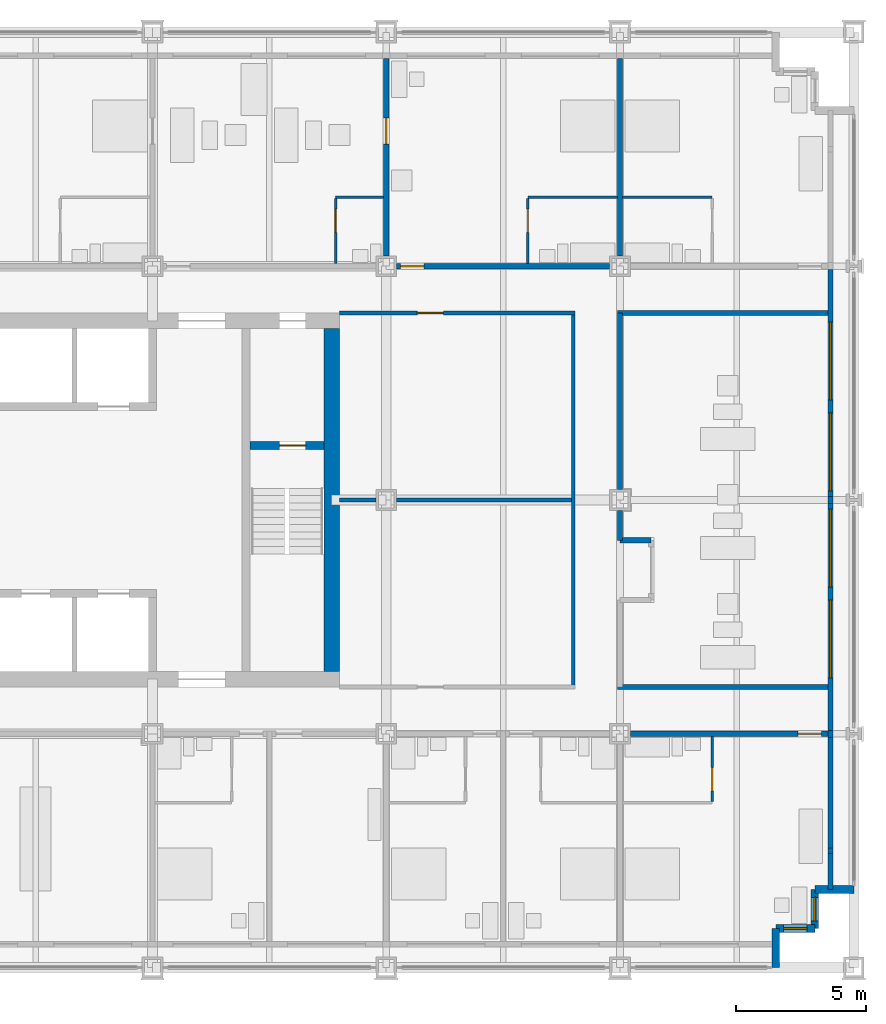
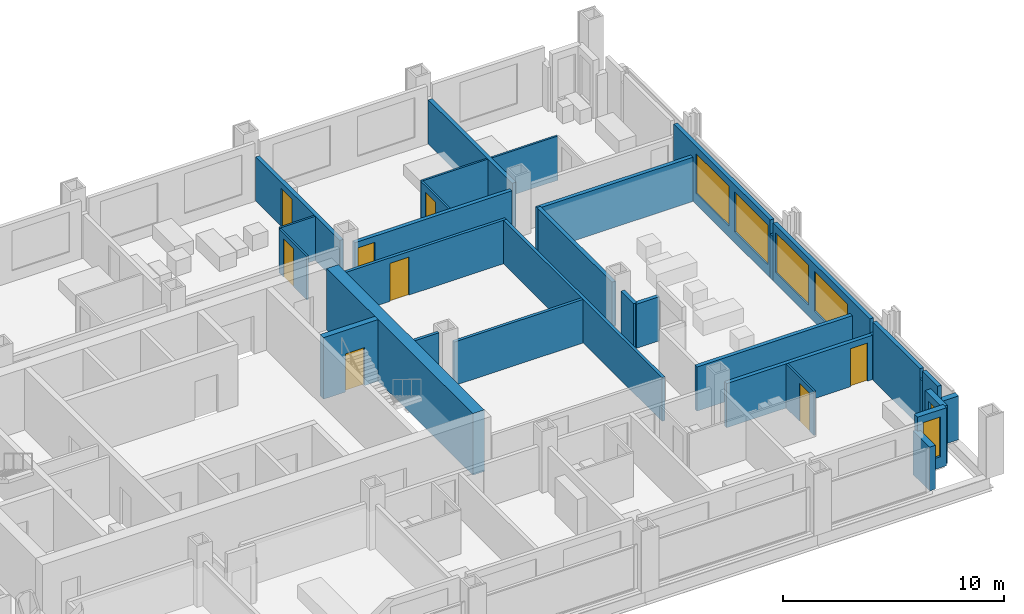
# One storey, part 13 of 18: 32 walls, 8 doors, 6 windows, 14 openings.
"""IFC4 building model written with IfcOpenShell, lengths in metres."""

from ifc_helpers import new_model, si_unit, direction, frame, frame_2d, origin, place, context, subcontext, project, spatial, rectangle, extrude, material, layer, layer_set, type_object, element, fill, save


model = new_model("IFC4")

# Units and contexts
model_context = context("Model", 3, precision=1e-05, world=origin(), true_north=direction((0.0, 1.0)))
body_context = subcontext(model_context, "Body", "Model", "MODEL_VIEW")
ifc_project = project(units=[si_unit("LENGTHUNIT", "METRE"), si_unit("AREAUNIT", "SQUARE_METRE"), si_unit("VOLUMEUNIT", "CUBIC_METRE"), si_unit("PLANEANGLEUNIT", "RADIAN"), si_unit("MASSUNIT", "GRAM", prefix="KILO")], contexts=[model_context])

# Site, building, storey
site_placement = place(None, origin())
site = spatial("IfcSite", under=ifc_project, at=site_placement, CompositionType="ELEMENT")
building_placement = place(site_placement, origin())
building = spatial("IfcBuilding", under=site, at=building_placement, Name="Loomwork Tower", CompositionType="ELEMENT")
storey_placement = place(building_placement, frame((0.0, 0.0, 28.0)))
storey = spatial("IfcBuildingStorey", under=building, at=storey_placement, Name="L05", CompositionType="ELEMENT", Elevation=28.0)

# Wall, opening, door
ifc_material_1 = material(Name="Concrete 14000 psi (97 MPa)", Category="concrete")
ifc_layer_1 = layer(ifc_material_1, 0.300048828125)
ifc_layer_set_1 = layer_set([ifc_layer_1], Name="Core shear wall 300")
wall_type_1 = type_object("IfcWallType", Name="Core shear wall 300", PredefinedType="SHEAR", material=ifc_layer_set_1)
wall_1_placement = place(storey_placement, frame((30.75, 20.10009765625, 0.0), z_axis=(0.0, 0.0, 1.0), x_axis=(1.0, 0.0, 0.0)))
wall_1 = element("IfcWall", 1, at=wall_1_placement, inside=storey, type_object=wall_type_1, Name="Stair B north wall L05", PredefinedType="SHEAR", context=body_context, shape_type="SweptSolid", body=[
    extrude(rectangle(XDim=2.85009765625, YDim=0.300048828125, at=frame_2d((1.425048828125, 0.0))), origin(), (0.0, 0.0, 1.0), 3.39990234375),
])
opening_1_placement = place(wall_1_placement, frame((1.14990234375, 0.0, 0.0)))
opening_1 = element("IfcOpeningElement", 2, at=opening_1_placement, cuts=wall_1, Name="Opening D4", PredefinedType="OPENING", context=body_context, shape_type="SweptSolid", body=[
    extrude(rectangle(XDim=1.0, YDim=2.10009765625, at=frame_2d((0.5, 1.050048828125))), frame((0.0, 0.159912109375, 0.0), z_axis=(0.0, -1.0, 0.0), x_axis=(1.0, 0.0, 0.0)), (0.0, 0.0, 1.0), 0.320068359375),
])
ifc_material_2 = material(Name="Hollow metal door and frame")
door_type_1 = type_object("IfcDoorType", Name="Stair door 1000", OperationType="SINGLE_SWING_RIGHT", PredefinedType="DOOR", material=ifc_material_2)
door_1_placement = place(opening_1_placement, frame((1.0, 0.0, 0.0), z_axis=(0.0, 0.0, 1.0), x_axis=(-1.0, 0.0, 0.0)))
door_1 = element("IfcDoor", 3, at=door_1_placement, inside=storey, type_object=door_type_1, Name="Stair B door", OperationType="SINGLE_SWING_LEFT", OverallHeight=2.10009765625, OverallWidth=1.0, PredefinedType="DOOR", context=body_context, shape_type="SweptSolid", body=[
    extrude(rectangle(XDim=1.0, YDim=2.10009765625, at=frame_2d((0.5, 1.050048828125))), frame((0.0, 0.02490234375, 0.0), z_axis=(0.0, -1.0, 0.0), x_axis=(1.0, 0.0, 0.0)), (0.0, 0.0, 1.0), 0.050048828125),
])
fill(opening_1, door_1)

# Wall
ifc_material_3 = material(Name="Concrete 14000 psi (97 MPa)", Category="concrete")
ifc_layer_2 = layer(ifc_material_3, 0.60009765625)
ifc_layer_set_2 = layer_set([ifc_layer_2], Name="Core shear wall 600")
wall_type_2 = type_object("IfcWallType", Name="Core shear wall 600", PredefinedType="SHEAR", material=ifc_layer_set_2)
wall_2_placement = place(storey_placement, frame((33.89990234375, 11.39990234375, 0.0), z_axis=(0.0, 0.0, 1.0), x_axis=(0.0, 1.0, 0.0)))
element("IfcWall", 4, at=wall_2_placement, inside=storey, type_object=wall_type_2, Name="Core wall east L05", PredefinedType="SHEAR", context=body_context, shape_type="SweptSolid", body=[
    extrude(rectangle(XDim=13.2001953125, YDim=0.60009765625, at=frame_2d((6.60009765625, 0.0))), origin(), (0.0, 0.0, 1.0), 3.39990234375),
])

# Wall, opening, door
ifc_material_4 = material(Name="Gypsum board on steel studs, one-hour", Category="steel")
ifc_layer_3 = layer(ifc_material_4, 0.199951171875)
ifc_layer_set_3 = layer_set([ifc_layer_3], Name="Corridor wall 200")
wall_type_3 = type_object("IfcWallType", Name="Corridor wall 200", PredefinedType="PARTITIONING", material=ifc_layer_set_3)
wall_3_placement = place(storey_placement, frame((45.39990234375, 9.0, 0.0), z_axis=(0.0, 0.0, 1.0), x_axis=(1.0, 0.0, 0.0)))
wall_3 = element("IfcWall", 5, at=wall_3_placement, inside=storey, type_object=wall_type_3, Name="South corridor wall 6", PredefinedType="PARTITIONING", context=body_context, shape_type="SweptSolid", body=[
    extrude(rectangle(XDim=7.60009765625, YDim=0.199951171875, at=frame_2d((3.800048828125, 0.0))), origin(), (0.0, 0.0, 1.0), 2.43798828125),
])
opening_2_placement = place(wall_3_placement, frame((6.449951171875, 0.0, 0.0)))
opening_2 = element("IfcOpeningElement", 6, at=opening_2_placement, cuts=wall_3, Name="Opening D1", PredefinedType="OPENING", context=body_context, shape_type="SweptSolid", body=[
    extrude(rectangle(XDim=0.89990234375, YDim=2.10009765625, at=frame_2d((0.449951171875, 1.050048828125))), frame((0.0, 0.10986328125, 0.0), z_axis=(0.0, -1.0, 0.0), x_axis=(1.0, 0.0, 0.0)), (0.0, 0.0, 1.0), 0.219970703125),
])
ifc_material_5 = material(Name="Hollow metal door and frame")
door_type_2 = type_object("IfcDoorType", Name="Guest room entry door 900", OperationType="SINGLE_SWING_LEFT", PredefinedType="DOOR", material=ifc_material_5)
door_2_placement = place(opening_2_placement, frame((0.89990234375, 0.0, 0.0), z_axis=(0.0, 0.0, 1.0), x_axis=(-1.0, 0.0, 0.0)))
door_2 = element("IfcDoor", 7, at=door_2_placement, inside=storey, type_object=door_type_2, Name="Guest room entry door L05 8", OperationType="SINGLE_SWING_LEFT", OverallHeight=2.10009765625, OverallWidth=0.89990234375, PredefinedType="DOOR", context=body_context, shape_type="SweptSolid", body=[
    extrude(rectangle(XDim=0.89990234375, YDim=2.10009765625, at=frame_2d((0.449951171875, 1.050048828125))), frame((0.0, 0.02490234375, 0.0), z_axis=(0.0, -1.0, 0.0), x_axis=(1.0, 0.0, 0.0)), (0.0, 0.0, 1.0), 0.050048828125),
])
fill(opening_2, door_2)

wall_4_placement = place(storey_placement, frame((36.39990234375, 27.0, 0.0), z_axis=(0.0, 0.0, 1.0), x_axis=(1.0, 0.0, 0.0)))
wall_4 = element("IfcWall", 8, at=wall_4_placement, inside=storey, type_object=wall_type_3, Name="North corridor wall 5", PredefinedType="PARTITIONING", context=body_context, shape_type="SweptSolid", body=[
    extrude(rectangle(XDim=8.2001953125, YDim=0.199951171875, at=frame_2d((4.10009765625, 0.0))), origin(), (0.0, 0.0, 1.0), 2.43798828125),
])
opening_3_placement = place(wall_4_placement, frame((0.14990234375, 0.0, 0.0)))
opening_3 = element("IfcOpeningElement", 9, at=opening_3_placement, cuts=wall_4, Name="Opening D1", PredefinedType="OPENING", context=body_context, shape_type="SweptSolid", body=[
    extrude(rectangle(XDim=0.89990234375, YDim=2.10009765625, at=frame_2d((0.449951171875, 1.050048828125))), frame((0.0, 0.10986328125, 0.0), z_axis=(0.0, -1.0, 0.0), x_axis=(1.0, 0.0, 0.0)), (0.0, 0.0, 1.0), 0.219970703125),
])
door_3_placement = place(opening_3_placement, origin())
door_3 = element("IfcDoor", 10, at=door_3_placement, inside=storey, type_object=door_type_2, Name="Guest room entry door L05 13", OperationType="SINGLE_SWING_LEFT", OverallHeight=2.10009765625, OverallWidth=0.89990234375, PredefinedType="DOOR", context=body_context, shape_type="SweptSolid", body=[
    extrude(rectangle(XDim=0.89990234375, YDim=2.10009765625, at=frame_2d((0.449951171875, 1.050048828125))), frame((0.0, 0.02490234375, 0.0), z_axis=(0.0, -1.0, 0.0), x_axis=(1.0, 0.0, 0.0)), (0.0, 0.0, 1.0), 0.050048828125),
])
fill(opening_3, door_3)

# Walls
wall_5_placement = place(storey_placement, frame((45.0, 18.39990234375, 0.0), z_axis=(0.0, 0.0, 1.0), x_axis=(0.0, 1.0, 0.0)))
element("IfcWall", 11, at=wall_5_placement, inside=storey, type_object=wall_type_3, Name="East corridor wall 2", PredefinedType="PARTITIONING", context=body_context, shape_type="SweptSolid", body=[
    extrude(rectangle(XDim=6.800048828125, YDim=0.199951171875, at=frame_2d((3.39990234375, 0.0))), origin(), (0.0, 0.0, 1.0), 2.43798828125),
])
for number, where, z_axis, x_axis, name in (
    (12, (44.89990234375, 10.800048828125, 0.0), (0.0, 0.0, 1.0), (1.0, 0.0, 0.0), "East band end wall S"),
    (13, (44.89990234375, 25.199951171875, 0.0), (0.0, 0.0, 1.0), (1.0, 0.0, 0.0), "East band end wall N"),
):
    element("IfcWall", number, at=place(storey_placement, frame(where, z_axis=z_axis, x_axis=x_axis)), inside=storey, type_object=wall_type_3, Name=name, PredefinedType="PARTITIONING", context=body_context, shape_type="SweptSolid", body=[
        extrude(rectangle(XDim=8.10009765625, YDim=0.199951171875, at=frame_2d((4.050048828125, 0.0))), origin(), (0.0, 0.0, 1.0), 2.43798828125),
    ])
wall_6_placement = place(storey_placement, frame((45.0, 16.449951171875, 0.0), z_axis=(0.0, 0.0, 1.0), x_axis=(0.0, 1.0, 0.0)))
element("IfcWall", 14, at=wall_6_placement, inside=storey, type_object=wall_type_3, Name="East corridor wall 1", PredefinedType="PARTITIONING", context=body_context, shape_type="SweptSolid", body=[
    extrude(rectangle(XDim=1.150146484375, YDim=0.199951171875, at=frame_2d((0.5751953125, 0.0))), origin(), (0.0, 0.0, 1.0), 2.43798828125),
])
wall_7_placement = place(storey_placement, frame((45.0, 16.449951171875, 0.0), z_axis=(0.0, 0.0, 1.0), x_axis=(1.0, 0.0, 0.0)))
element("IfcWall", 15, at=wall_7_placement, inside=storey, type_object=wall_type_3, Name="Conference club lounge door L05 alcove wall", PredefinedType="PARTITIONING", context=body_context, shape_type="SweptSolid", body=[
    extrude(rectangle(XDim=1.199951171875, YDim=0.199951171875, at=frame_2d((0.60009765625, 0.0))), origin(), (0.0, 0.0, 1.0), 2.43798828125),
])

# Wall, opening, door
ifc_material_6 = material(Name="Cement board on steel studs", Category="steel")
ifc_layer_4 = layer(ifc_material_6, 0.10009765625)
ifc_layer_set_4 = layer_set([ifc_layer_4], Name="En-suite partition 100")
wall_type_4 = type_object("IfcWallType", Name="En-suite partition 100", PredefinedType="PARTITIONING", material=ifc_layer_set_4)
wall_8_placement = place(storey_placement, frame((48.550048828125, 8.89990234375, 0.0), z_axis=(0.0, 0.0, 1.0), x_axis=(0.0, -1.0, 0.0)))
wall_8 = element("IfcWall", 16, at=wall_8_placement, inside=storey, type_object=wall_type_4, Name="En-suite side wall L05 room 8", PredefinedType="PARTITIONING", context=body_context, shape_type="SweptSolid", body=[
    extrude(rectangle(XDim=2.5, YDim=0.10009765625, at=frame_2d((1.25, 0.0))), origin(), (0.0, 0.0, 1.0), 2.43798828125),
])
opening_4_placement = place(wall_8_placement, frame((1.199951171875, 0.0, 0.0)))
opening_4 = element("IfcOpeningElement", 17, at=opening_4_placement, cuts=wall_8, Name="Opening D2", PredefinedType="OPENING", context=body_context, shape_type="SweptSolid", body=[
    extrude(rectangle(XDim=0.89990234375, YDim=2.10009765625, at=frame_2d((0.449951171875, 1.050048828125))), frame((0.0, 0.06005859375, 0.0), z_axis=(0.0, -1.0, 0.0), x_axis=(1.0, 0.0, 0.0)), (0.0, 0.0, 1.0), 0.1201171875),
])
ifc_material_7 = material(Name="Hollow metal door and frame")
door_type_3 = type_object("IfcDoorType", Name="En-suite door 900", OperationType="SINGLE_SWING_LEFT", PredefinedType="DOOR", material=ifc_material_7)
door_4_placement = place(opening_4_placement, frame((0.89990234375, 0.0, 0.0), z_axis=(0.0, 0.0, 1.0), x_axis=(-1.0, 0.0, 0.0)))
door_4 = element("IfcDoor", 18, at=door_4_placement, inside=storey, type_object=door_type_3, Name="En-suite door room 8", OperationType="SINGLE_SWING_LEFT", OverallHeight=2.10009765625, OverallWidth=0.89990234375, PredefinedType="DOOR", context=body_context, shape_type="SweptSolid", body=[
    extrude(rectangle(XDim=0.89990234375, YDim=2.10009765625, at=frame_2d((0.449951171875, 1.050048828125))), frame((0.0, 0.02490234375, 0.0), z_axis=(0.0, -1.0, 0.0), x_axis=(1.0, 0.0, 0.0)), (0.0, 0.0, 1.0), 0.050048828125),
])
fill(opening_4, door_4)

# Wall
wall_9_placement = place(storey_placement, frame((34.050048828125, 29.64990234375, 0.0), z_axis=(0.0, 0.0, 1.0), x_axis=(1.0, 0.0, 0.0)))
element("IfcWall", 19, at=wall_9_placement, inside=storey, type_object=wall_type_4, Name="En-suite wall L05 room 12", PredefinedType="PARTITIONING", context=body_context, shape_type="SweptSolid", body=[
    extrude(rectangle(XDim=1.849853515625, YDim=0.10009765625, at=frame_2d((0.9248046875, 0.0))), origin(), (0.0, 0.0, 1.0), 2.43798828125),
])

# Wall, opening, door
wall_10_placement = place(storey_placement, frame((34.050048828125, 27.10009765625, 0.0), z_axis=(0.0, 0.0, 1.0), x_axis=(0.0, 1.0, 0.0)))
wall_10 = element("IfcWall", 20, at=wall_10_placement, inside=storey, type_object=wall_type_4, Name="En-suite side wall L05 room 12", PredefinedType="PARTITIONING", context=body_context, shape_type="SweptSolid", body=[
    extrude(rectangle(XDim=2.5, YDim=0.10009765625, at=frame_2d((1.25, 0.0))), origin(), (0.0, 0.0, 1.0), 2.404052734375),
])
opening_5_placement = place(wall_10_placement, frame((1.199951171875, 0.0, 0.0)))
opening_5 = element("IfcOpeningElement", 21, at=opening_5_placement, cuts=wall_10, Name="Opening D2", PredefinedType="OPENING", context=body_context, shape_type="SweptSolid", body=[
    extrude(rectangle(XDim=0.89990234375, YDim=2.10009765625, at=frame_2d((0.449951171875, 1.050048828125))), frame((0.0, 0.06005859375, 0.0), z_axis=(0.0, -1.0, 0.0), x_axis=(1.0, 0.0, 0.0)), (0.0, 0.0, 1.0), 0.1201171875),
])
door_5_placement = place(opening_5_placement, frame((0.89990234375, 0.0, 0.0), z_axis=(0.0, 0.0, 1.0), x_axis=(-1.0, 0.0, 0.0)))
door_5 = element("IfcDoor", 22, at=door_5_placement, inside=storey, type_object=door_type_3, Name="Suite powder room door room 12", OperationType="SINGLE_SWING_LEFT", OverallHeight=2.10009765625, OverallWidth=0.89990234375, PredefinedType="DOOR", context=body_context, shape_type="SweptSolid", body=[
    extrude(rectangle(XDim=0.89990234375, YDim=2.10009765625, at=frame_2d((0.449951171875, 1.050048828125))), frame((0.0, 0.02490234375, 0.0), z_axis=(0.0, -1.0, 0.0), x_axis=(1.0, 0.0, 0.0)), (0.0, 0.0, 1.0), 0.050048828125),
])
fill(opening_5, door_5)

# Wall
wall_11_placement = place(storey_placement, frame((41.449951171875, 29.64990234375, 0.0), z_axis=(0.0, 0.0, 1.0), x_axis=(1.0, 0.0, 0.0)))
element("IfcWall", 23, at=wall_11_placement, inside=storey, type_object=wall_type_4, Name="En-suite wall L05 room 13", PredefinedType="PARTITIONING", context=body_context, shape_type="SweptSolid", body=[
    extrude(rectangle(XDim=3.449951171875, YDim=0.10009765625, at=frame_2d((1.72509765625, 0.0))), origin(), (0.0, 0.0, 1.0), 2.43798828125),
])

# Wall, opening, door
wall_12_placement = place(storey_placement, frame((41.449951171875, 27.10009765625, 0.0), z_axis=(0.0, 0.0, 1.0), x_axis=(0.0, 1.0, 0.0)))
wall_12 = element("IfcWall", 24, at=wall_12_placement, inside=storey, type_object=wall_type_4, Name="En-suite side wall L05 room 13", PredefinedType="PARTITIONING", context=body_context, shape_type="SweptSolid", body=[
    extrude(rectangle(XDim=2.5, YDim=0.10009765625, at=frame_2d((1.25, 0.0))), origin(), (0.0, 0.0, 1.0), 2.43798828125),
])
opening_6_placement = place(wall_12_placement, frame((1.199951171875, 0.0, 0.0)))
opening_6 = element("IfcOpeningElement", 25, at=opening_6_placement, cuts=wall_12, Name="Opening D2", PredefinedType="OPENING", context=body_context, shape_type="SweptSolid", body=[
    extrude(rectangle(XDim=0.89990234375, YDim=2.10009765625, at=frame_2d((0.449951171875, 1.050048828125))), frame((0.0, 0.06005859375, 0.0), z_axis=(0.0, -1.0, 0.0), x_axis=(1.0, 0.0, 0.0)), (0.0, 0.0, 1.0), 0.1201171875),
])
door_6_placement = place(opening_6_placement, frame((0.89990234375, 0.0, 0.0), z_axis=(0.0, 0.0, 1.0), x_axis=(-1.0, 0.0, 0.0)))
door_6 = element("IfcDoor", 26, at=door_6_placement, inside=storey, type_object=door_type_3, Name="En-suite door room 13", OperationType="SINGLE_SWING_LEFT", OverallHeight=2.10009765625, OverallWidth=0.89990234375, PredefinedType="DOOR", context=body_context, shape_type="SweptSolid", body=[
    extrude(rectangle(XDim=0.89990234375, YDim=2.10009765625, at=frame_2d((0.449951171875, 1.050048828125))), frame((0.0, 0.02490234375, 0.0), z_axis=(0.0, -1.0, 0.0), x_axis=(1.0, 0.0, 0.0)), (0.0, 0.0, 1.0), 0.050048828125),
])
fill(opening_6, door_6)

# Wall
wall_13_placement = place(storey_placement, frame((45.10009765625, 29.64990234375, 0.0), z_axis=(0.0, 0.0, 1.0), x_axis=(1.0, 0.0, 0.0)))
element("IfcWall", 27, at=wall_13_placement, inside=storey, type_object=wall_type_4, Name="En-suite wall L05 room 14", PredefinedType="PARTITIONING", context=body_context, shape_type="SweptSolid", body=[
    extrude(rectangle(XDim=3.449951171875, YDim=0.10009765625, at=frame_2d((1.72509765625, 0.0))), origin(), (0.0, 0.0, 1.0), 2.43798828125),
])

# Wall, opening, door
ifc_material_8 = material(Name="Gypsum board on steel studs, acoustic", Category="steel")
ifc_layer_5 = layer(ifc_material_8, 0.199951171875)
ifc_layer_set_5 = layer_set([ifc_layer_5], Name="Guest room party wall 200")
wall_type_5 = type_object("IfcWallType", Name="Guest room party wall 200", PredefinedType="PARTITIONING", material=ifc_layer_set_5)
wall_14_placement = place(storey_placement, frame((36.0, 27.39990234375, 0.0), z_axis=(0.0, 0.0, 1.0), x_axis=(0.0, 1.0, 0.0)))
wall_14 = element("IfcWall", 28, at=wall_14_placement, inside=storey, type_object=wall_type_5, Name="Guest room party wall N 36", PredefinedType="PARTITIONING", context=body_context, shape_type="SweptSolid", body=[
    extrude(rectangle(XDim=7.60009765625, YDim=0.199951171875, at=frame_2d((3.800048828125, 0.0))), origin(), (0.0, 0.0, 1.0), 2.43798828125),
])
opening_7_placement = place(wall_14_placement, frame((4.300048828125, 0.0, 0.0)))
opening_7 = element("IfcOpeningElement", 29, at=opening_7_placement, cuts=wall_14, Name="Opening D7", PredefinedType="OPENING", context=body_context, shape_type="SweptSolid", body=[
    extrude(rectangle(XDim=1.0, YDim=2.10009765625, at=frame_2d((0.5, 1.050048828125))), frame((0.0, 0.10986328125, 0.0), z_axis=(0.0, -1.0, 0.0), x_axis=(1.0, 0.0, 0.0)), (0.0, 0.0, 1.0), 0.219970703125),
])
ifc_material_9 = material(Name="Hollow metal door and frame")
door_type_4 = type_object("IfcDoorType", Name="Room door 1000", OperationType="SINGLE_SWING_LEFT", PredefinedType="DOOR", material=ifc_material_9)
door_7_placement = place(opening_7_placement, frame((1.0, 0.0, 0.0), z_axis=(0.0, 0.0, 1.0), x_axis=(-1.0, 0.0, 0.0)))
door_7 = element("IfcDoor", 30, at=door_7_placement, inside=storey, type_object=door_type_4, Name="Suite connecting door L05 N 36", OperationType="SINGLE_SWING_RIGHT", OverallHeight=2.10009765625, OverallWidth=1.0, PredefinedType="DOOR", context=body_context, shape_type="SweptSolid", body=[
    extrude(rectangle(XDim=1.0, YDim=2.10009765625, at=frame_2d((0.5, 1.050048828125))), frame((0.0, 0.02490234375, 0.0), z_axis=(0.0, -1.0, 0.0), x_axis=(1.0, 0.0, 0.0)), (0.0, 0.0, 1.0), 0.050048828125),
])
fill(opening_7, door_7)

# Walls
wall_15_placement = place(storey_placement, frame((45.0, 27.39990234375, 0.0), z_axis=(0.0, 0.0, 1.0), x_axis=(0.0, 1.0, 0.0)))
element("IfcWall", 31, at=wall_15_placement, inside=storey, type_object=wall_type_5, Name="Guest room party wall N 45", PredefinedType="PARTITIONING", context=body_context, shape_type="SweptSolid", body=[
    extrude(rectangle(XDim=7.60009765625, YDim=0.199951171875, at=frame_2d((3.800048828125, 0.0))), origin(), (0.0, 0.0, 1.0), 2.43798828125),
])
ifc_material_10 = material(Name="Insulated steel stud wall with gypsum lining", Category="steel")
ifc_layer_6 = layer(ifc_material_10, 0.199951171875)
ifc_layer_set_6 = layer_set([ifc_layer_6], Name="Inner skin wall 200")
wall_type_6 = type_object("IfcWallType", Name="Inner skin wall 200", PredefinedType="SOLIDWALL", material=ifc_layer_set_6)
wall_16_placement = place(storey_placement, frame((53.10009765625, 3.0, 0.0), z_axis=(0.0, 0.0, 1.0), x_axis=(0.0, 1.0, 0.0)))
element("IfcWall", 32, at=wall_16_placement, inside=storey, type_object=wall_type_6, Name="Inner skin wall E", PredefinedType="SOLIDWALL", context=body_context, shape_type="SweptSolid", body=[
    extrude(rectangle(XDim=1.392578125, YDim=0.199951171875, at=frame_2d((0.6962890625, 0.0))), origin(), (0.0, 0.0, 1.0), 3.199951171875),
])
wall_17_placement = place(storey_placement, frame((53.10009765625, 4.392578125, 0.0), z_axis=(0.0, 0.0, 1.0), x_axis=(0.0, 1.0, 0.0)))
element("IfcWall", 33, at=wall_17_placement, inside=storey, type_object=wall_type_6, Name="Inner skin wall E bay 2", PredefinedType="SOLIDWALL", context=body_context, shape_type="SweptSolid", body=[
    extrude(rectangle(XDim=0.21484375, YDim=0.199951171875, at=frame_2d((0.107421875, 0.0))), origin(), (0.0, 0.0, 1.0), 2.660888671875),
])
wall_18_placement = place(storey_placement, frame((53.10009765625, 4.607421875, 0.0), z_axis=(0.0, 0.0, 1.0), x_axis=(0.0, 1.0, 0.0)))
element("IfcWall", 34, at=wall_18_placement, inside=storey, type_object=wall_type_6, Name="Inner skin wall E bay 3", PredefinedType="SOLIDWALL", context=body_context, shape_type="SweptSolid", body=[
    extrude(rectangle(XDim=4.25732421875, YDim=0.199951171875, at=frame_2d((2.128662109375, 0.0))), origin(), (0.0, 0.0, 1.0), 3.199951171875),
])
wall_19_placement = place(storey_placement, frame((53.10009765625, 8.86474609375, 0.0), z_axis=(0.0, 0.0, 1.0), x_axis=(0.0, 1.0, 0.0)))
element("IfcWall", 35, at=wall_19_placement, inside=storey, type_object=wall_type_6, Name="Inner skin wall E bay 4", PredefinedType="SOLIDWALL", context=body_context, shape_type="SweptSolid", body=[
    extrude(rectangle(XDim=0.2705078125, YDim=0.199951171875, at=frame_2d((0.13525390625, 0.0))), origin(), (0.0, 0.0, 1.0), 2.43798828125),
])

# Wall, openings, windows
wall_20_placement = place(storey_placement, frame((53.10009765625, 9.13525390625, 0.0), z_axis=(0.0, 0.0, 1.0), x_axis=(0.0, 1.0, 0.0)))
wall_20 = element("IfcWall", 36, at=wall_20_placement, inside=storey, type_object=wall_type_6, Name="Inner skin wall E bay 5", PredefinedType="SOLIDWALL", context=body_context, shape_type="SweptSolid", body=[
    extrude(rectangle(XDim=8.729248046875, YDim=0.199951171875, at=frame_2d((4.36474609375, 0.0))), origin(), (0.0, 0.0, 1.0), 3.199951171875),
])
opening_8_placement = place(wall_20_placement, frame((2.0146484375, 0.0, 0.60009765625)))
opening_8 = element("IfcOpeningElement", 37, at=opening_8_placement, cuts=wall_20, Name="Opening CH1", PredefinedType="OPENING", context=body_context, shape_type="SweptSolid", body=[
    extrude(rectangle(XDim=3.0, YDim=2.199951171875, at=frame_2d((1.5, 1.10009765625))), frame((0.0, 0.10986328125, 0.0), z_axis=(0.0, -1.0, 0.0), x_axis=(1.0, 0.0, 0.0)), (0.0, 0.0, 1.0), 0.219970703125),
])
opening_9_placement = place(wall_20_placement, frame((5.5146484375, 0.0, 0.60009765625)))
opening_9 = element("IfcOpeningElement", 38, at=opening_9_placement, cuts=wall_20, Name="Opening CH1", PredefinedType="OPENING", context=body_context, shape_type="SweptSolid", body=[
    extrude(rectangle(XDim=3.0, YDim=2.199951171875, at=frame_2d((1.5, 1.10009765625))), frame((0.0, 0.10986328125, 0.0), z_axis=(0.0, -1.0, 0.0), x_axis=(1.0, 0.0, 0.0)), (0.0, 0.0, 1.0), 0.219970703125),
])
ifc_material_11 = material(Name="Aluminium frame with clear insulated glass", Category="aluminium")
window_type_1 = type_object("IfcWindowType", Name="Chicago window 3000", PartitioningType="TRIPLE_PANEL_VERTICAL", PredefinedType="WINDOW", material=ifc_material_11)
window_1_placement = place(opening_8_placement, origin())
window_1 = element("IfcWindow", 39, at=window_1_placement, inside=storey, type_object=window_type_1, Name="Chicago window L05 bay 15", OverallHeight=2.199951171875, OverallWidth=3.0, PartitioningType="TRIPLE_PANEL_VERTICAL", PredefinedType="WINDOW", context=body_context, shape_type="SweptSolid", body=[
    extrude(rectangle(XDim=3.0, YDim=2.199951171875, at=frame_2d((1.5, 1.10009765625))), frame((0.0, 0.030029296875, 0.0), z_axis=(0.0, -1.0, 0.0), x_axis=(1.0, 0.0, 0.0)), (0.0, 0.0, 1.0), 0.06005859375),
])
fill(opening_8, window_1)
window_2_placement = place(opening_9_placement, origin())
window_2 = element("IfcWindow", 40, at=window_2_placement, inside=storey, type_object=window_type_1, Name="Chicago window L05 bay 15", OverallHeight=2.199951171875, OverallWidth=3.0, PartitioningType="TRIPLE_PANEL_VERTICAL", PredefinedType="WINDOW", context=body_context, shape_type="SweptSolid", body=[
    extrude(rectangle(XDim=3.0, YDim=2.199951171875, at=frame_2d((1.5, 1.10009765625))), frame((0.0, 0.030029296875, 0.0), z_axis=(0.0, -1.0, 0.0), x_axis=(1.0, 0.0, 0.0)), (0.0, 0.0, 1.0), 0.06005859375),
])
fill(opening_9, window_2)

# Wall
wall_21_placement = place(storey_placement, frame((53.10009765625, 17.864501953125, 0.0), z_axis=(0.0, 0.0, 1.0), x_axis=(0.0, 1.0, 0.0)))
element("IfcWall", 41, at=wall_21_placement, inside=storey, type_object=wall_type_6, Name="Inner skin wall E bay 6", PredefinedType="SOLIDWALL", context=body_context, shape_type="SweptSolid", body=[
    extrude(rectangle(XDim=0.27099609375, YDim=0.199951171875, at=frame_2d((0.135498046875, 0.0))), origin(), (0.0, 0.0, 1.0), 2.43798828125),
])

# Wall, openings, windows
wall_22_placement = place(storey_placement, frame((53.10009765625, 18.135498046875, 0.0), z_axis=(0.0, 0.0, 1.0), x_axis=(0.0, 1.0, 0.0)))
wall_22 = element("IfcWall", 42, at=wall_22_placement, inside=storey, type_object=wall_type_6, Name="Inner skin wall E bay 7", PredefinedType="SOLIDWALL", context=body_context, shape_type="SweptSolid", body=[
    extrude(rectangle(XDim=8.729248046875, YDim=0.199951171875, at=frame_2d((4.36474609375, 0.0))), origin(), (0.0, 0.0, 1.0), 3.199951171875),
])
opening_10_placement = place(wall_22_placement, frame((0.214599609375, 0.0, 0.60009765625)))
opening_10 = element("IfcOpeningElement", 43, at=opening_10_placement, cuts=wall_22, Name="Opening CH1", PredefinedType="OPENING", context=body_context, shape_type="SweptSolid", body=[
    extrude(rectangle(XDim=3.0, YDim=2.199951171875, at=frame_2d((1.5, 1.10009765625))), frame((0.0, 0.10986328125, 0.0), z_axis=(0.0, -1.0, 0.0), x_axis=(1.0, 0.0, 0.0)), (0.0, 0.0, 1.0), 0.219970703125),
])
opening_11_placement = place(wall_22_placement, frame((3.714599609375, 0.0, 0.60009765625)))
opening_11 = element("IfcOpeningElement", 44, at=opening_11_placement, cuts=wall_22, Name="Opening CH1", PredefinedType="OPENING", context=body_context, shape_type="SweptSolid", body=[
    extrude(rectangle(XDim=3.0, YDim=2.199951171875, at=frame_2d((1.5, 1.10009765625))), frame((0.0, 0.10986328125, 0.0), z_axis=(0.0, -1.0, 0.0), x_axis=(1.0, 0.0, 0.0)), (0.0, 0.0, 1.0), 0.219970703125),
])
window_3_placement = place(opening_10_placement, origin())
window_3 = element("IfcWindow", 45, at=window_3_placement, inside=storey, type_object=window_type_1, Name="Chicago window L05 bay 16", OverallHeight=2.199951171875, OverallWidth=3.0, PartitioningType="TRIPLE_PANEL_VERTICAL", PredefinedType="WINDOW", context=body_context, shape_type="SweptSolid", body=[
    extrude(rectangle(XDim=3.0, YDim=2.199951171875, at=frame_2d((1.5, 1.10009765625))), frame((0.0, 0.030029296875, 0.0), z_axis=(0.0, -1.0, 0.0), x_axis=(1.0, 0.0, 0.0)), (0.0, 0.0, 1.0), 0.06005859375),
])
fill(opening_10, window_3)
window_4_placement = place(opening_11_placement, origin())
window_4 = element("IfcWindow", 46, at=window_4_placement, inside=storey, type_object=window_type_1, Name="Chicago window L05 bay 16", OverallHeight=2.199951171875, OverallWidth=3.0, PartitioningType="TRIPLE_PANEL_VERTICAL", PredefinedType="WINDOW", context=body_context, shape_type="SweptSolid", body=[
    extrude(rectangle(XDim=3.0, YDim=2.199951171875, at=frame_2d((1.5, 1.10009765625))), frame((0.0, 0.030029296875, 0.0), z_axis=(0.0, -1.0, 0.0), x_axis=(1.0, 0.0, 0.0)), (0.0, 0.0, 1.0), 0.06005859375),
])
fill(opening_11, window_4)

# Wall
ifc_material_12 = material(Name="Limestone on concrete masonry", Category="masonry")
ifc_layer_7 = layer(ifc_material_12, 0.300048828125)
ifc_layer_set_7 = layer_set([ifc_layer_7], Name="Limestone corner wall 300")
wall_type_7 = type_object("IfcWallType", Name="Limestone corner wall 300", PredefinedType="SOLIDWALL", material=ifc_layer_set_7)
wall_23_placement = place(storey_placement, frame((51.0, 0.0, 0.0), z_axis=(0.0, 0.0, 1.0), x_axis=(0.0, 1.0, 0.0)))
element("IfcWall", 47, at=wall_23_placement, inside=storey, type_object=wall_type_7, Name="Stone corner wall SE 1", PredefinedType="SOLIDWALL", context=body_context, shape_type="SweptSolid", body=[
    extrude(rectangle(XDim=1.5, YDim=0.300048828125, at=frame_2d((0.75, 0.0))), origin(), (0.0, 0.0, 1.0), 2.419921875),
])

# Wall, opening, window
wall_24_placement = place(storey_placement, frame((51.0, 1.5, 0.0), z_axis=(0.0, 0.0, 1.0), x_axis=(1.0, 0.0, 0.0)))
wall_24 = element("IfcWall", 48, at=wall_24_placement, inside=storey, type_object=wall_type_7, Name="Stone corner wall SE 2", PredefinedType="SOLIDWALL", context=body_context, shape_type="SweptSolid", body=[
    extrude(rectangle(XDim=1.5, YDim=0.300048828125, at=frame_2d((0.75, 0.0))), origin(), (0.0, 0.0, 1.0), 3.199951171875),
])
opening_12_placement = place(wall_24_placement, frame((0.300048828125, 0.0, 0.60009765625)))
opening_12 = element("IfcOpeningElement", 49, at=opening_12_placement, cuts=wall_24, Name="Opening CH2", PredefinedType="OPENING", context=body_context, shape_type="SweptSolid", body=[
    extrude(rectangle(XDim=0.89990234375, YDim=2.199951171875, at=frame_2d((0.449951171875, 1.10009765625))), frame((0.0, 0.159912109375, 0.0), z_axis=(0.0, -1.0, 0.0), x_axis=(1.0, 0.0, 0.0)), (0.0, 0.0, 1.0), 0.320068359375),
])
ifc_material_13 = material(Name="Aluminium frame with clear insulated glass", Category="aluminium")
window_type_2 = type_object("IfcWindowType", Name="Corner window 900", PartitioningType="SINGLE_PANEL", PredefinedType="WINDOW", material=ifc_material_13)
window_5_placement = place(opening_12_placement, origin())
window_5 = element("IfcWindow", 50, at=window_5_placement, inside=storey, type_object=window_type_2, Name="Corner window SE", OverallHeight=2.199951171875, OverallWidth=0.89990234375, PartitioningType="SINGLE_PANEL", PredefinedType="WINDOW", context=body_context, shape_type="SweptSolid", body=[
    extrude(rectangle(XDim=0.89990234375, YDim=2.199951171875, at=frame_2d((0.449951171875, 1.10009765625))), frame((0.0, 0.030029296875, 0.0), z_axis=(0.0, -1.0, 0.0), x_axis=(1.0, 0.0, 0.0)), (0.0, 0.0, 1.0), 0.06005859375),
])
fill(opening_12, window_5)

wall_25_placement = place(storey_placement, frame((52.5, 1.5, 0.0), z_axis=(0.0, 0.0, 1.0), x_axis=(0.0, 1.0, 0.0)))
wall_25 = element("IfcWall", 51, at=wall_25_placement, inside=storey, type_object=wall_type_7, Name="Stone corner wall SE 3", PredefinedType="SOLIDWALL", context=body_context, shape_type="SweptSolid", body=[
    extrude(rectangle(XDim=1.5, YDim=0.300048828125, at=frame_2d((0.75, 0.0))), origin(), (0.0, 0.0, 1.0), 3.199951171875),
])
opening_13_placement = place(wall_25_placement, frame((0.300048828125, 0.0, 0.60009765625)))
opening_13 = element("IfcOpeningElement", 52, at=opening_13_placement, cuts=wall_25, Name="Opening CH2", PredefinedType="OPENING", context=body_context, shape_type="SweptSolid", body=[
    extrude(rectangle(XDim=0.89990234375, YDim=2.199951171875, at=frame_2d((0.449951171875, 1.10009765625))), frame((0.0, 0.159912109375, 0.0), z_axis=(0.0, -1.0, 0.0), x_axis=(1.0, 0.0, 0.0)), (0.0, 0.0, 1.0), 0.320068359375),
])
window_6_placement = place(opening_13_placement, origin())
window_6 = element("IfcWindow", 53, at=window_6_placement, inside=storey, type_object=window_type_2, Name="Corner window SE", OverallHeight=2.199951171875, OverallWidth=0.89990234375, PartitioningType="SINGLE_PANEL", PredefinedType="WINDOW", context=body_context, shape_type="SweptSolid", body=[
    extrude(rectangle(XDim=0.89990234375, YDim=2.199951171875, at=frame_2d((0.449951171875, 1.10009765625))), frame((0.0, 0.030029296875, 0.0), z_axis=(0.0, -1.0, 0.0), x_axis=(1.0, 0.0, 0.0)), (0.0, 0.0, 1.0), 0.06005859375),
])
fill(opening_13, window_6)

# Wall
wall_26_placement = place(storey_placement, frame((52.5, 3.0, 0.0), z_axis=(0.0, 0.0, 1.0), x_axis=(1.0, 0.0, 0.0)))
element("IfcWall", 54, at=wall_26_placement, inside=storey, type_object=wall_type_7, Name="Stone corner wall SE 4", PredefinedType="SOLIDWALL", context=body_context, shape_type="SweptSolid", body=[
    extrude(rectangle(XDim=1.5, YDim=0.300048828125, at=frame_2d((0.75, 0.0))), origin(), (0.0, 0.0, 1.0), 2.419921875),
])

# Wall, opening, door
ifc_material_14 = material(Name="Gypsum board on steel studs, one-hour", Category="steel")
ifc_layer_8 = layer(ifc_material_14, 0.14990234375)
ifc_layer_set_8 = layer_set([ifc_layer_8], Name="Service partition 150")
wall_type_8 = type_object("IfcWallType", Name="Service partition 150", PredefinedType="PARTITIONING", material=ifc_layer_set_8)
wall_27_placement = place(storey_placement, frame((34.199951171875, 25.199951171875, 0.0), z_axis=(0.0, 0.0, 1.0), x_axis=(1.0, 0.0, 0.0)))
wall_27 = element("IfcWall", 55, at=wall_27_placement, inside=storey, type_object=wall_type_8, Name="Service block wall N", PredefinedType="PARTITIONING", context=body_context, shape_type="SweptSolid", body=[
    extrude(rectangle(XDim=9.074951171875, YDim=0.14990234375, at=frame_2d((4.53759765625, 0.0))), origin(), (0.0, 0.0, 1.0), 2.404052734375),
])
opening_14_placement = place(wall_27_placement, frame((3.0, 0.0, 0.0)))
opening_14 = element("IfcOpeningElement", 56, at=opening_14_placement, cuts=wall_27, Name="Opening D5", PredefinedType="OPENING", context=body_context, shape_type="SweptSolid", body=[
    extrude(rectangle(XDim=1.0, YDim=2.10009765625, at=frame_2d((0.5, 1.050048828125))), frame((0.0, 0.0849609375, 0.0), z_axis=(0.0, -1.0, 0.0), x_axis=(1.0, 0.0, 0.0)), (0.0, 0.0, 1.0), 0.169921875),
])
ifc_material_15 = material(Name="Hollow metal door and frame")
door_type_5 = type_object("IfcDoorType", Name="Service door 1000", OperationType="SINGLE_SWING_LEFT", PredefinedType="DOOR", material=ifc_material_15)
door_8_placement = place(opening_14_placement, frame((1.0, 0.0, 0.0), z_axis=(0.0, 0.0, 1.0), x_axis=(-1.0, 0.0, 0.0)))
door_8 = element("IfcDoor", 57, at=door_8_placement, inside=storey, type_object=door_type_5, Name="Riser room door", OperationType="SINGLE_SWING_RIGHT", OverallHeight=2.10009765625, OverallWidth=1.0, PredefinedType="DOOR", context=body_context, shape_type="SweptSolid", body=[
    extrude(rectangle(XDim=1.0, YDim=2.10009765625, at=frame_2d((0.5, 1.050048828125))), frame((0.0, 0.02490234375, 0.0), z_axis=(0.0, -1.0, 0.0), x_axis=(1.0, 0.0, 0.0)), (0.0, 0.0, 1.0), 0.050048828125),
])
fill(opening_14, door_8)

# Walls
wall_28_placement = place(storey_placement, frame((43.199951171875, 10.800048828125, 0.0), z_axis=(0.0, 0.0, 1.0), x_axis=(0.0, 1.0, 0.0)))
element("IfcWall", 58, at=wall_28_placement, inside=storey, type_object=wall_type_8, Name="Service block east wall", PredefinedType="PARTITIONING", context=body_context, shape_type="SweptSolid", body=[
    extrude(rectangle(XDim=14.39990234375, YDim=0.14990234375, at=frame_2d((7.199951171875, 0.0))), origin(), (0.0, 0.0, 1.0), 2.404052734375),
])
wall_29_placement = place(storey_placement, frame((34.199951171875, 18.0, 0.0), z_axis=(0.0, 0.0, 1.0), x_axis=(1.0, 0.0, 0.0)))
element("IfcWall", 59, at=wall_29_placement, inside=storey, type_object=wall_type_8, Name="Service block divider", PredefinedType="PARTITIONING", context=body_context, shape_type="SweptSolid", body=[
    extrude(rectangle(XDim=1.400146484375, YDim=0.14990234375, at=frame_2d((0.7001953125, 0.0))), origin(), (0.0, 0.0, 1.0), 3.199951171875),
])
wall_30_placement = place(storey_placement, frame((36.39990234375, 18.0, 0.0), z_axis=(0.0, 0.0, 1.0), x_axis=(1.0, 0.0, 0.0)))
element("IfcWall", 60, at=wall_30_placement, inside=storey, type_object=wall_type_8, Name="Service block divider", PredefinedType="PARTITIONING", context=body_context, shape_type="SweptSolid", body=[
    extrude(rectangle(XDim=6.72509765625, YDim=0.14990234375, at=frame_2d((3.362548828125, 0.0))), origin(), (0.0, 0.0, 1.0), 2.405029296875),
])

save(model, "model.ifc")
